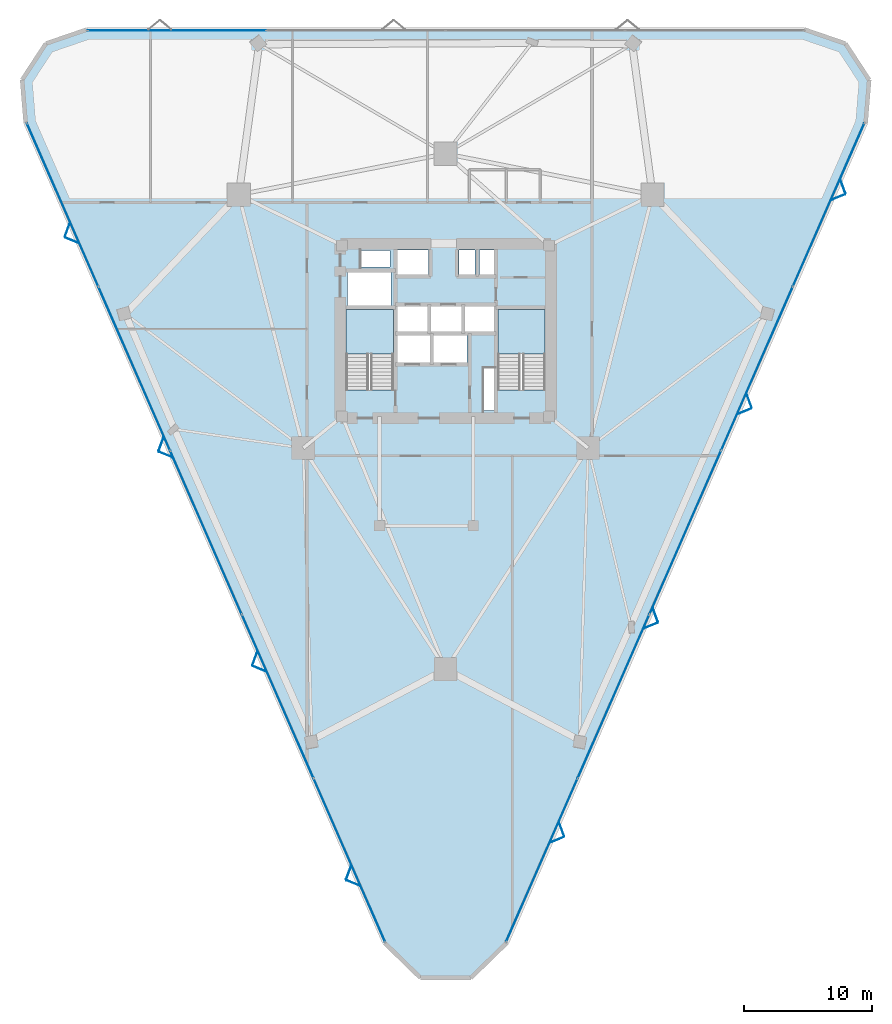
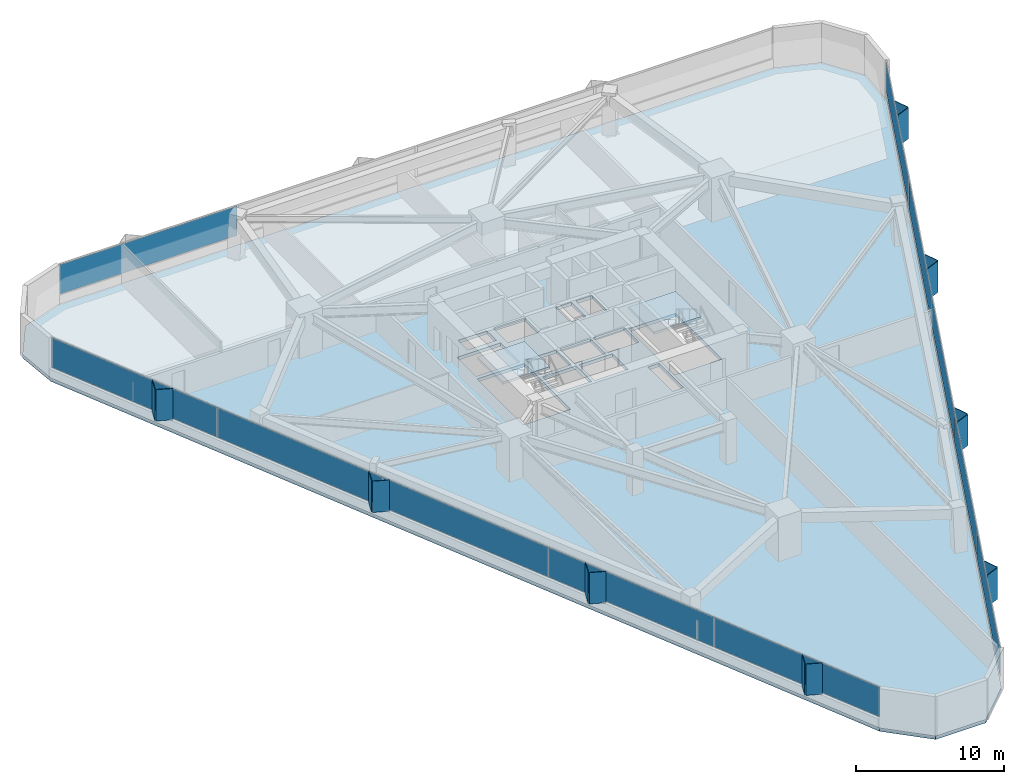
# One storey, part 15 of 21: 27 plates, 3 slabs, 5 elements without a shape of their own.
"""IFC4 building model written with IfcOpenShell, lengths in metres."""

from ifc_helpers import new_model, si_unit, direction, frame, origin, origin_2d, place, context, subcontext, project, spatial, polyline, rectangle, outline, extrude, material, layer, layer_set, type_object, element, aggregate, save


model = new_model("IFC4")

# Units and contexts
model_context = context("Model", 3, precision=1e-05, world=origin(), true_north=direction((0.0, 1.0)))
body_context = subcontext(model_context, "Body", "Model", "MODEL_VIEW")
ifc_project = project(units=[si_unit("LENGTHUNIT", "METRE"), si_unit("AREAUNIT", "SQUARE_METRE"), si_unit("VOLUMEUNIT", "CUBIC_METRE"), si_unit("PLANEANGLEUNIT", "RADIAN"), si_unit("MASSUNIT", "GRAM", prefix="KILO")], contexts=[model_context])

# Site, building, storey
site_placement = place(None, origin())
site = spatial("IfcSite", under=ifc_project, at=site_placement, CompositionType="ELEMENT")
building_placement = place(site_placement, origin())
building = spatial("IfcBuilding", under=site, at=building_placement, Name="Talyreon Biosciences Tower", CompositionType="ELEMENT")
storey_placement = place(building_placement, frame((0.0, 0.0, 55.64990234375)))
storey = spatial("IfcBuildingStorey", under=building, at=storey_placement, Name="L14", CompositionType="ELEMENT", Elevation=55.64990234375)

# Curtain wall, plates
ifc_material_1 = material(Name="Thermally broken aluminium and low-E glazing", Category="aluminium")
ifc_layer_1 = layer(ifc_material_1, 0.195068359375)
ifc_layer_set_1 = layer_set([ifc_layer_1], Name="Thermally broken aluminium and low-E glazing")
curtain_wall_type = type_object("IfcCurtainWallType", Name="CurtainWall_Zone1WetLab", PredefinedType="NOTDEFINED", material=ifc_layer_set_1)
curtain_wall_1_placement = place(storey_placement, origin())
curtain_wall_1 = element("IfcCurtainWall", 1, at=curtain_wall_1_placement, inside=storey, type_object=curtain_wall_type, Name="L14 Unitised Curtain Wall FCW-L14-00", PredefinedType="NOTDEFINED")
ifc_material_2 = material(Name="Triple-silver low-E insulated glazing", Category="glass")
ifc_layer_2 = layer(ifc_material_2, 0.031982421875)
ifc_layer_set_2 = layer_set([ifc_layer_2], Name="Triple-silver low-E insulated glazing")
plate_type_1 = type_object("IfcPlateType", Name="CWGlazingPanel_32", PredefinedType="CURTAIN_PANEL", material=ifc_layer_set_2)
plate_1_placement = place(storey_placement, frame((58.511474609375, 26.815185546875, 0.875), z_axis=(0.0, 0.0, 1.0), x_axis=(-0.400967721165, 0.916092182361, 0.0)))
plate_1 = element("IfcPlate", 2, at=plate_1_placement, type_object=plate_type_1, Name="CW2 panel 1.1", PredefinedType="CURTAIN_PANEL", context=body_context, shape_type="SweptSolid", body=[
    extrude(rectangle(XDim=13.826416015625, YDim=0.031982421875, at=origin_2d()), origin(), (0.0, 0.0, 1.0), 2.43505859375),
])
plate_2_placement = place(storey_placement, frame((52.93505859375, 39.555908203125, 0.875), z_axis=(0.0, 0.0, 1.0), x_axis=(-0.400967721165, 0.916092182361, 0.0)))
plate_2 = element("IfcPlate", 3, at=plate_2_placement, type_object=plate_type_1, Name="CW2 panel 2.1", PredefinedType="CURTAIN_PANEL", context=body_context, shape_type="SweptSolid", body=[
    extrude(rectangle(XDim=13.859130859375, YDim=0.031982421875, at=origin_2d()), origin(), (0.0, 0.0, 1.0), 2.43505859375),
])
plate_3_placement = place(storey_placement, frame((47.351806640625, 52.311767578125, 0.875), z_axis=(0.0, 0.0, 1.0), x_axis=(-0.400967721165, 0.916092182361, 0.0)))
plate_3 = element("IfcPlate", 4, at=plate_3_placement, type_object=plate_type_1, Name="CW2 panel 3.1", PredefinedType="CURTAIN_PANEL", context=body_context, shape_type="SweptSolid", body=[
    extrude(rectangle(XDim=13.859130859375, YDim=0.031982421875, at=origin_2d()), origin(), (0.0, 0.0, 1.0), 2.43505859375),
])
plate_4_placement = place(storey_placement, frame((41.768798828125, 65.0673828125, 0.875), z_axis=(0.0, 0.0, 1.0), x_axis=(-0.400967721165, 0.916092182361, 0.0)))
plate_4 = element("IfcPlate", 5, at=plate_4_placement, type_object=plate_type_1, Name="CW2 panel 4.1", PredefinedType="CURTAIN_PANEL", context=body_context, shape_type="SweptSolid", body=[
    extrude(rectangle(XDim=13.859130859375, YDim=0.031982421875, at=origin_2d()), origin(), (0.0, 0.0, 1.0), 2.43505859375),
])
plate_5_placement = place(storey_placement, frame((36.192138671875, 77.80810546875, 0.875), z_axis=(0.0, 0.0, 1.0), x_axis=(-0.400967721165, 0.916092182361, 0.0)))
plate_5 = element("IfcPlate", 6, at=plate_5_placement, type_object=plate_type_1, Name="CW2 panel 5.1", PredefinedType="CURTAIN_PANEL", context=body_context, shape_type="SweptSolid", body=[
    extrude(rectangle(XDim=13.826416015625, YDim=0.031982421875, at=origin_2d()), origin(), (0.0, 0.0, 1.0), 2.43505859375),
])
aggregate(curtain_wall_1, [plate_1, plate_2, plate_3, plate_4, plate_5])

# Curtain wall, plate
curtain_wall_2_placement = place(storey_placement, origin())
curtain_wall_2 = element("IfcCurtainWall", 7, at=curtain_wall_2_placement, inside=storey, type_object=curtain_wall_type, Name="L14 Unitised Curtain Wall FCW-L14-04", PredefinedType="NOTDEFINED")
plate_6_placement = place(storey_placement, frame((45.07958984375, 91.373779296875, 0.875), z_axis=(0.0, 0.0, 1.0), x_axis=(1.0, 0.0, 0.0)))
plate_6 = element("IfcPlate", 8, at=plate_6_placement, type_object=plate_type_1, Name="CW2 panel 1.1", PredefinedType="CURTAIN_PANEL", context=body_context, shape_type="SweptSolid", body=[
    extrude(rectangle(XDim=13.860107421875, YDim=0.031982421875, at=origin_2d()), origin(), (0.0, 0.0, 1.0), 2.43505859375),
])
aggregate(curtain_wall_2, [plate_6])

# Curtain wall, plates
curtain_wall_3_placement = place(storey_placement, origin())
curtain_wall_3 = element("IfcCurtainWall", 9, at=curtain_wall_3_placement, inside=storey, type_object=curtain_wall_type, Name="L14 Unitised Curtain Wall FCW-L14-08", PredefinedType="NOTDEFINED")
plate_7_placement = place(storey_placement, frame((95.807861328125, 77.80810546875, 0.875), z_axis=(0.0, 0.0, 1.0), x_axis=(-0.400967721165, -0.916092182361, 0.0)))
plate_7 = element("IfcPlate", 10, at=plate_7_placement, type_object=plate_type_1, Name="CW2 panel 1.1", PredefinedType="CURTAIN_PANEL", context=body_context, shape_type="SweptSolid", body=[
    extrude(rectangle(XDim=13.826416015625, YDim=0.031982421875, at=origin_2d()), origin(), (0.0, 0.0, 1.0), 2.43505859375),
])
plate_8_placement = place(storey_placement, frame((90.231201171875, 65.0673828125, 0.875), z_axis=(0.0, 0.0, 1.0), x_axis=(-0.400967721165, -0.916092182361, 0.0)))
plate_8 = element("IfcPlate", 11, at=plate_8_placement, type_object=plate_type_1, Name="CW2 panel 2.1", PredefinedType="CURTAIN_PANEL", context=body_context, shape_type="SweptSolid", body=[
    extrude(rectangle(XDim=13.859130859375, YDim=0.031982421875, at=origin_2d()), origin(), (0.0, 0.0, 1.0), 2.43505859375),
])
plate_9_placement = place(storey_placement, frame((84.648193359375, 52.311767578125, 0.875), z_axis=(0.0, 0.0, 1.0), x_axis=(-0.400967721165, -0.916092182361, 0.0)))
plate_9 = element("IfcPlate", 12, at=plate_9_placement, type_object=plate_type_1, Name="CW2 panel 3.1", PredefinedType="CURTAIN_PANEL", context=body_context, shape_type="SweptSolid", body=[
    extrude(rectangle(XDim=13.859130859375, YDim=0.031982421875, at=origin_2d()), origin(), (0.0, 0.0, 1.0), 2.43505859375),
])
plate_10_placement = place(storey_placement, frame((79.06494140625, 39.555908203125, 0.875), z_axis=(0.0, 0.0, 1.0), x_axis=(-0.400967721165, -0.916092182361, 0.0)))
plate_10 = element("IfcPlate", 13, at=plate_10_placement, type_object=plate_type_1, Name="CW2 panel 4.1", PredefinedType="CURTAIN_PANEL", context=body_context, shape_type="SweptSolid", body=[
    extrude(rectangle(XDim=13.859130859375, YDim=0.031982421875, at=origin_2d()), origin(), (0.0, 0.0, 1.0), 2.43505859375),
])
plate_11_placement = place(storey_placement, frame((73.488525390625, 26.815185546875, 0.875), z_axis=(0.0, 0.0, 1.0), x_axis=(-0.400967721165, -0.916092182361, 0.0)))
plate_11 = element("IfcPlate", 14, at=plate_11_placement, type_object=plate_type_1, Name="CW2 panel 5.1", PredefinedType="CURTAIN_PANEL", context=body_context, shape_type="SweptSolid", body=[
    extrude(rectangle(XDim=13.826416015625, YDim=0.031982421875, at=origin_2d()), origin(), (0.0, 0.0, 1.0), 2.43505859375),
])
aggregate(curtain_wall_3, [plate_7, plate_8, plate_9, plate_10, plate_11])

# Plates
ifc_material_3 = material(Name="Ivory GFRC sunshade panel", Category="concrete")
ifc_layer_3 = layer(ifc_material_3, 0.044921875)
ifc_layer_set_3 = layer_set([ifc_layer_3], Name="Ivory GFRC sunshade panel")
plate_type_2 = type_object("IfcPlateType", Name="FoldedVSunshade_SunFace_SUNSHADE", PredefinedType="USERDEFINED", material=ifc_layer_set_3)
for number, where, z_axis, x_axis, name in (
    (15, (58.8134765625, 25.028076171875, 0.7900390625), (0.0, 0.0, 1.0), (-0.924805205788, 0.380440969597, 0.0), "L14 Folded V-Sunshade Panel 00.01L"),
    (16, (58.45263671875, 25.8525390625, 0.7900390625), (0.0, 0.0, 1.0), (0.347933979008, 0.937519037808, 0.0), "L14 Folded V-Sunshade Panel 00.01R"),
    (17, (51.515869140625, 41.700927734375, 0.7900390625), (0.0, 0.0, 1.0), (-0.924805205788, 0.380440969597, 0.0), "L14 Folded V-Sunshade Panel 00.02L"),
    (18, (51.155029296875, 42.525390625, 0.7900390625), (0.0, 0.0, 1.0), (0.347933979008, 0.937519037808, 0.0), "L14 Folded V-Sunshade Panel 00.02R"),
    (19, (44.21826171875, 58.373779296875, 0.7900390625), (0.0, 0.0, 1.0), (-0.924805205788, 0.380440969597, 0.0), "L14 Folded V-Sunshade Panel 00.03L"),
    (20, (43.857421875, 59.1982421875, 0.7900390625), (0.0, 0.0, 1.0), (0.347933979008, 0.937519037808, 0.0), "L14 Folded V-Sunshade Panel 00.03R"),
    (21, (36.920654296875, 75.046630859375, 0.7900390625), (0.0, 0.0, 1.0), (-0.924805205788, 0.380440969597, 0.0), "L14 Folded V-Sunshade Panel 00.04L"),
    (22, (36.559814453125, 75.87109375, 0.7900390625), (0.0, 0.0, 1.0), (0.347933979008, 0.937519037808, 0.0), "L14 Folded V-Sunshade Panel 00.04R"),
    (23, (96.915771484375, 79.242431640625, 0.7900390625), (0.0, 0.0, 1.0), (0.347933979008, -0.937519037808, 0.0), "L14 Folded V-Sunshade Panel 08.01L"),
    (24, (96.554931640625, 78.41796875, 0.7900390625), (0.0, 0.0, 1.0), (-0.924805205788, -0.380440969597, 0.0), "L14 Folded V-Sunshade Panel 08.01R"),
    (25, (89.6181640625, 62.569580078125, 0.7900390625), (0.0, 0.0, 1.0), (0.347933979008, -0.937519037808, 0.0), "L14 Folded V-Sunshade Panel 08.02L"),
    (26, (89.25732421875, 61.7451171875, 0.7900390625), (0.0, 0.0, 1.0), (-0.924805205788, -0.380440969597, 0.0), "L14 Folded V-Sunshade Panel 08.02R"),
    (27, (82.320556640625, 45.896728515625, 0.7900390625), (0.0, 0.0, 1.0), (0.347933979008, -0.937519037808, 0.0), "L14 Folded V-Sunshade Panel 08.03L"),
    (28, (81.959716796875, 45.072265625, 0.7900390625), (0.0, 0.0, 1.0), (-0.924805205788, -0.380440969597, 0.0), "L14 Folded V-Sunshade Panel 08.03R"),
    (29, (75.02294921875, 29.223876953125, 0.7900390625), (0.0, 0.0, 1.0), (0.347933979008, -0.937519037808, 0.0), "L14 Folded V-Sunshade Panel 08.04L"),
    (30, (74.662109375, 28.3994140625, 0.7900390625), (0.0, 0.0, 1.0), (-0.924805205788, -0.380440969597, 0.0), "L14 Folded V-Sunshade Panel 08.04R"),
):
    element("IfcPlate", number, at=place(storey_placement, frame(where, z_axis=z_axis, x_axis=x_axis)), inside=storey, type_object=plate_type_2, Name=name, ObjectType="SUNSHADE", PredefinedType="USERDEFINED", context=body_context, shape_type="SweptSolid", body=[
        extrude(rectangle(XDim=1.14990234375, YDim=0.044921875, at=origin_2d()), origin(), (0.0, 0.0, 1.0), 2.5849609375),
    ])

# Stair, slab
ifc_material_4 = material(Name="Concrete C40/50", Category="concrete")
stair_type = type_object("IfcStairType", Name="DoglegEscapeStair_3650", PredefinedType="HALF_TURN_STAIR", material=ifc_material_4)
stair_1_placement = place(storey_placement, origin())
stair_1 = element("IfcStair", 31, at=stair_1_placement, inside=storey, type_object=stair_type, Name="L14 Core Escape Stair 1", PredefinedType="HALF_TURN_STAIR")
ifc_layer_4 = layer(ifc_material_4, 0.199951171875)
ifc_layer_set_4 = layer_set([ifc_layer_4], Name="Concrete C40/50")
slab_type_1 = type_object("IfcSlabType", Name="StairLandingSlab_200", PredefinedType="LANDING", material=ifc_layer_set_4)
slab_1_placement = place(storey_placement, frame((0.0, 0.0, 1.625)))
slab_1 = element("IfcSlab", 32, at=slab_1_placement, type_object=slab_type_1, Name="ST-1 landing 1", PredefinedType="LANDING", context=body_context, shape_type="SweptSolid", body=[
    extrude(outline(polyline([(61.929931640625, 66.199951171875), (61.929931640625, 69.64990234375), (58.25, 69.64990234375), (58.25, 66.199951171875), (61.929931640625, 66.199951171875)])), origin(), (0.0, 0.0, 1.0), 0.2001953125),
])
aggregate(stair_1, [slab_1])

stair_2_placement = place(storey_placement, origin())
stair_2 = element("IfcStair", 33, at=stair_2_placement, inside=storey, type_object=stair_type, Name="L14 Core Escape Stair 2", PredefinedType="HALF_TURN_STAIR")
slab_2_placement = place(storey_placement, frame((0.0, 0.0, 1.625)))
slab_2 = element("IfcSlab", 34, at=slab_2_placement, type_object=slab_type_1, Name="ST-2 landing 1", PredefinedType="LANDING", context=body_context, shape_type="SweptSolid", body=[
    extrude(outline(polyline([(73.75, 66.199951171875), (73.75, 69.64990234375), (70.070068359375, 69.64990234375), (70.070068359375, 66.199951171875), (73.75, 66.199951171875)])), origin(), (0.0, 0.0, 1.0), 0.2001953125),
])
aggregate(stair_2, [slab_2])

# Slab
ifc_layer_5 = layer(ifc_material_4, 0.27490234375)
ifc_layer_set_5 = layer_set([ifc_layer_5], Name="Concrete C40/50")
slab_type_2 = type_object("IfcSlabType", Name="WetLabFloorSlab_275", PredefinedType="FLOOR", material=ifc_layer_set_5)
slab_3_placement = place(storey_placement, frame((0.0, 0.0, -0.27490234375)))
element("IfcSlab", 35, at=slab_3_placement, inside=storey, type_object=slab_type_2, Name="L14 Structural Floor Slab", PredefinedType="FLOOR", context=body_context, shape_type="SweptSolid", body=[
    extrude(outline(polyline([(61.236328125, 20.390380859375), (33.32080078125, 84.168701171875), (33.04443359375, 87.533203125), (34.891845703125, 90.3583984375), (38.084716796875, 91.453857421875), (93.915283203125, 91.453857421875), (97.108154296875, 90.3583984375), (98.95556640625, 87.533203125), (98.67919921875, 84.168701171875), (70.763671875, 20.390380859375), (67.9580078125, 17.658203125), (64.0419921875, 17.658203125), (61.236328125, 20.390380859375)]), holes=[polyline([(61.929931640625, 69.64990234375), (61.929931640625, 63.407958984375), (58.25, 63.407958984375), (58.25, 69.64990234375), (61.929931640625, 69.64990234375)]), polyline([(64.800048828125, 65.550048828125), (62.199951171875, 65.550048828125), (62.199951171875, 67.64990234375), (64.800048828125, 67.64990234375), (64.800048828125, 65.550048828125)]), polyline([(64.60009765625, 67.949951171875), (62.199951171875, 67.949951171875), (62.199951171875, 69.949951171875), (64.60009765625, 69.949951171875), (64.60009765625, 67.949951171875)]), polyline([(67.25, 69.949951171875), (67.25, 67.949951171875), (64.85009765625, 67.949951171875), (64.85009765625, 69.949951171875), (67.25, 69.949951171875)]), polyline([(61.75, 69.97998046875), (58.35009765625, 69.97998046875), (58.35009765625, 72.550048828125), (61.75, 72.550048828125), (61.75, 69.97998046875)]), polyline([(64.64990234375, 72.35009765625), (62.199951171875, 72.35009765625), (62.199951171875, 74.300048828125), (64.64990234375, 74.300048828125), (64.64990234375, 72.35009765625)]), polyline([(61.64990234375, 74.25), (61.64990234375, 72.9599609375), (59.39990234375, 72.9599609375), (59.39990234375, 74.25), (61.64990234375, 74.25)]), polyline([(69.820068359375, 61.800048828125), (68.9599609375, 61.800048828125), (68.9599609375, 65.10009765625), (69.820068359375, 65.10009765625), (69.820068359375, 61.800048828125)]), polyline([(73.75, 63.407958984375), (70.070068359375, 63.407958984375), (70.070068359375, 69.64990234375), (73.75, 69.64990234375), (73.75, 63.407958984375)]), polyline([(67.64990234375, 65.550048828125), (65.050048828125, 65.550048828125), (65.050048828125, 67.64990234375), (67.64990234375, 67.64990234375), (67.64990234375, 65.550048828125)]), polyline([(69.89990234375, 67.949951171875), (67.5, 67.949951171875), (67.5, 69.949951171875), (69.89990234375, 69.949951171875), (69.89990234375, 67.949951171875)]), polyline([(68.300048828125, 72.35009765625), (67.050048828125, 72.35009765625), (67.050048828125, 74.300048828125), (68.300048828125, 74.300048828125), (68.300048828125, 72.35009765625)]), polyline([(69.919921875, 72.35009765625), (68.6201171875, 72.35009765625), (68.6201171875, 74.300048828125), (69.919921875, 74.300048828125), (69.919921875, 72.35009765625)])]), origin(), (0.0, 0.0, 1.0), 0.27490234375),
])

save(model, "model.ifc")
